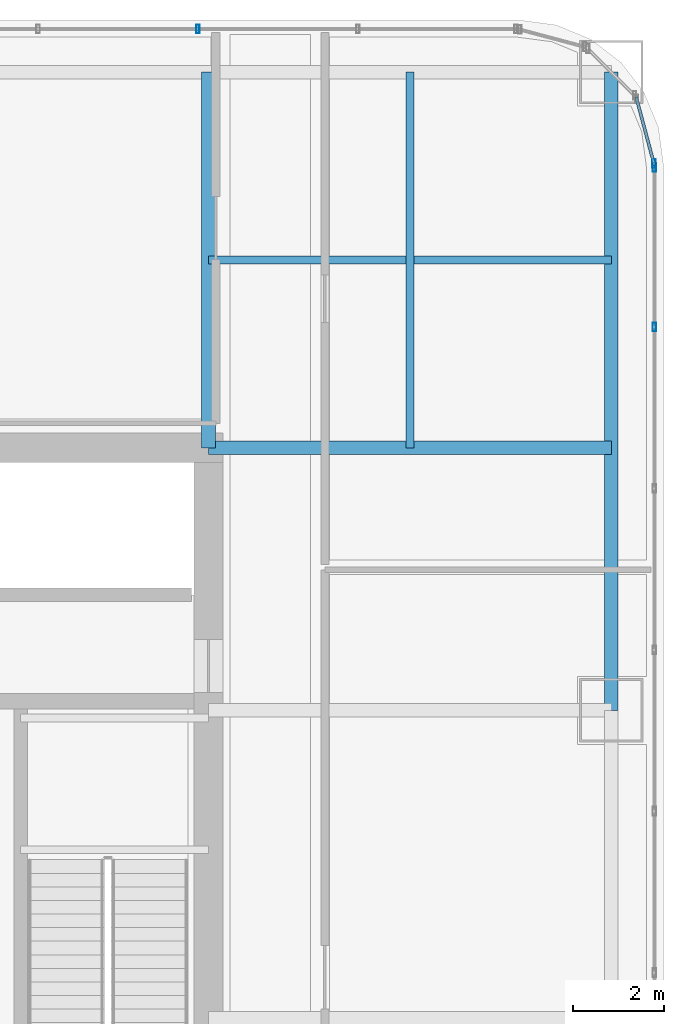
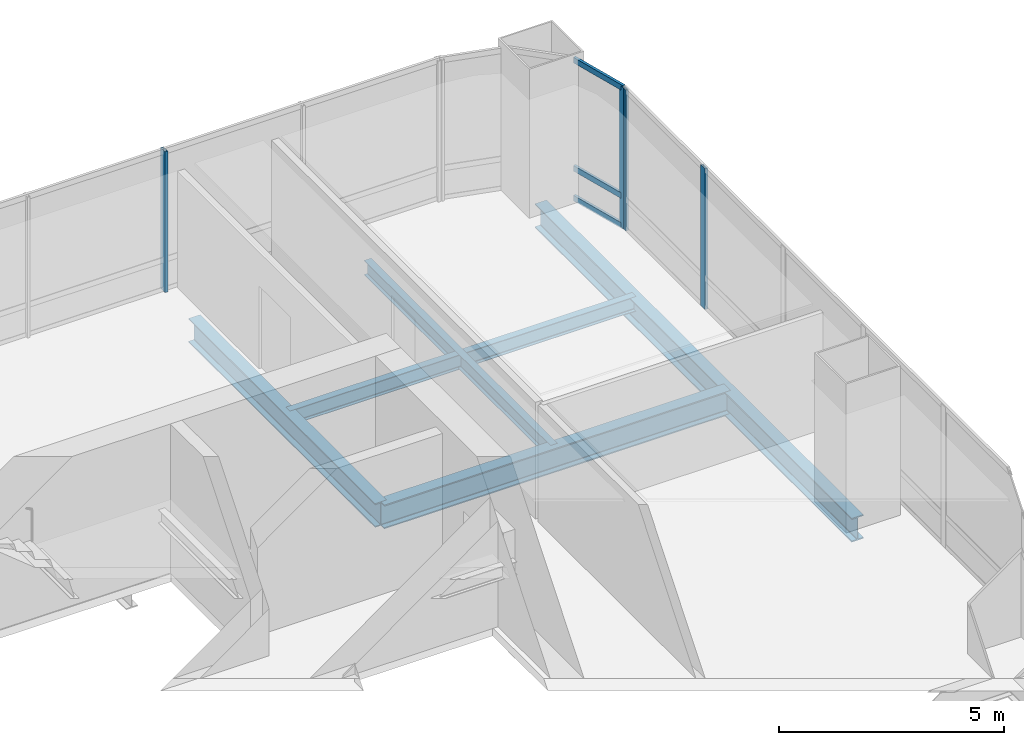
# One storey, part 25 of 36: 7 members, 5 beams, 3 elements without a shape of their own.
"""IFC4 building model written with IfcOpenShell, lengths in metres."""

from ifc_helpers import new_model, si_unit, direction, frame, origin, origin_2d, place, context, subcontext, project, spatial, hollow_rectangle, i_section, extrude, material, material_profile, profile_set, type_object, element, aggregate, save


model = new_model("IFC4")

# Units and contexts
model_context = context("Model", 3, precision=1e-05, world=origin(), true_north=direction((0.0, 1.0)))
body_context = subcontext(model_context, "Body", "Model", "MODEL_VIEW")
ifc_project = project(units=[si_unit("LENGTHUNIT", "METRE"), si_unit("AREAUNIT", "SQUARE_METRE"), si_unit("VOLUMEUNIT", "CUBIC_METRE"), si_unit("PLANEANGLEUNIT", "RADIAN"), si_unit("MASSUNIT", "GRAM", prefix="KILO")], contexts=[model_context])

# Site, building, storey
site_placement = place(None, origin())
site = spatial("IfcSite", under=ifc_project, at=site_placement, CompositionType="ELEMENT")
building_placement = place(site_placement, origin())
building = spatial("IfcBuilding", under=site, at=building_placement, Name="Punatoya Terracotta Tower", CompositionType="ELEMENT")
storey_placement = place(building_placement, frame((0.0, 0.0, 184.35009765625)))
storey = spatial("IfcBuildingStorey", under=building, at=storey_placement, Name="L43", CompositionType="ELEMENT", Elevation=184.35009765625)

# Beams
ifc_material_1 = material(Name="Steel S355", Category="steel")
ifc_material_profile_1 = material_profile(ifc_material_1, i_section(OverallWidth=0.300048828125, OverallDepth=0.64990234375, WebThickness=0.01611328125, FlangeThickness=0.031005859375, FilletRadius=0.01806640625, at=origin_2d()))
ifc_profile_set_1 = profile_set([ifc_material_profile_1], Name="Steel S355")
beam_type_1 = type_object("IfcBeamType", Name="BM-PRI-650", PredefinedType="BEAM", material=ifc_profile_set_1)
beam_1_placement = place(storey_placement, frame((19.10009765625, 3.39990234375, -0.545166015625), z_axis=(0.0, 1.0, 0.0), x_axis=(-1.0, 0.0, 0.0)))
element("IfcBeam", 1, at=beam_1_placement, inside=storey, type_object=beam_type_1, Name="BM-L43-RG-E3", PredefinedType="BEAM", context=body_context, shape_type="SweptSolid", body=[
    extrude(i_section(OverallWidth=0.300048828125, OverallDepth=0.64990234375, WebThickness=0.01611328125, FlangeThickness=0.031005859375, FilletRadius=0.01806640625, at=origin_2d()), origin(), (0.0, 0.0, 1.0), 14.10009765625),
])
beam_2_placement = place(storey_placement, frame((10.199951171875, 9.199951171875, -0.545166015625), z_axis=(1.0, 0.0, 0.0), x_axis=(0.0, 1.0, 0.0)))
element("IfcBeam", 2, at=beam_2_placement, inside=storey, type_object=beam_type_1, Name="BM-L43-PR-EN", PredefinedType="BEAM", context=body_context, shape_type="SweptSolid", body=[
    extrude(i_section(OverallWidth=0.300048828125, OverallDepth=0.64990234375, WebThickness=0.01611328125, FlangeThickness=0.031005859375, FilletRadius=0.01806640625, at=origin_2d()), origin(), (0.0, 0.0, 1.0), 8.900146484375),
])
beam_3_placement = place(storey_placement, frame((10.199951171875, 9.199951171875, -0.545166015625), z_axis=(0.0, 1.0, 0.0), x_axis=(-1.0, 0.0, 0.0)))
element("IfcBeam", 3, at=beam_3_placement, inside=storey, type_object=beam_type_1, Name="BM-L43-PR-N4", PredefinedType="BEAM", context=body_context, shape_type="SweptSolid", body=[
    extrude(i_section(OverallWidth=0.300048828125, OverallDepth=0.64990234375, WebThickness=0.01611328125, FlangeThickness=0.031005859375, FilletRadius=0.01806640625, at=origin_2d()), origin(), (0.0, 0.0, 1.0), 8.300048828125),
])
ifc_material_profile_2 = material_profile(ifc_material_1, i_section(OverallWidth=0.179931640625, OverallDepth=0.39990234375, WebThickness=0.008544921875, FlangeThickness=0.013427734375, FilletRadius=0.01806640625, at=origin_2d()))
ifc_profile_set_2 = profile_set([ifc_material_profile_2], Name="Steel S355")
beam_type_2 = type_object("IfcBeamType", Name="BM-SEC-400", PredefinedType="JOIST", material=ifc_profile_set_2)
beam_4_placement = place(storey_placement, frame((10.199951171875, 13.35009765625, -0.420166015625), z_axis=(1.0, 0.0, 0.0), x_axis=(0.0, 1.0, 0.0)))
element("IfcBeam", 4, at=beam_4_placement, inside=storey, type_object=beam_type_2, Name="BM-L43-SJN-2", PredefinedType="JOIST", context=body_context, shape_type="SweptSolid", body=[
    extrude(i_section(OverallWidth=0.179931640625, OverallDepth=0.39990234375, WebThickness=0.008544921875, FlangeThickness=0.013427734375, FilletRadius=0.01806640625, at=origin_2d()), origin(), (0.0, 0.0, 1.0), 8.900146484375),
])
beam_5_placement = place(storey_placement, frame((14.64990234375, 9.199951171875, -0.420166015625), z_axis=(0.0, 1.0, 0.0), x_axis=(-1.0, 0.0, 0.0)))
element("IfcBeam", 5, at=beam_5_placement, inside=storey, type_object=beam_type_2, Name="BM-L43-SJE-2", PredefinedType="JOIST", context=body_context, shape_type="SweptSolid", body=[
    extrude(i_section(OverallWidth=0.179931640625, OverallDepth=0.39990234375, WebThickness=0.008544921875, FlangeThickness=0.013427734375, FilletRadius=0.01806640625, at=origin_2d()), origin(), (0.0, 0.0, 1.0), 8.300048828125),
])

# Curtain wall, members
ifc_material_2 = material(Name="Aluminium 6063-T6 + Double Low-E Glass", Category="aluminium")
curtain_wall_type = type_object("IfcCurtainWallType", Name="CW-M2", PredefinedType="NOTDEFINED", material=ifc_material_2)
curtain_wall_1_placement = place(storey_placement, origin())
curtain_wall_1 = element("IfcCurtainWall", 6, at=curtain_wall_1_placement, inside=storey, type_object=curtain_wall_type, Name="L43 Curtain Wall CW-L43-E05-1", PredefinedType="NOTDEFINED")
ifc_material_3 = material(Name="Aluminium 6063-T6", Category="aluminium")
ifc_material_profile_3 = material_profile(ifc_material_3, hollow_rectangle(XDim=0.072021484375, YDim=0.195068359375, WallThickness=0.00439453125, at=origin_2d()))
ifc_profile_set_3 = profile_set([ifc_material_profile_3], Name="Aluminium 6063-T6")
member_type_1 = type_object("IfcMemberType", Name="CW-MUL-M2", PredefinedType="MULLION", material=ifc_profile_set_3)
member_1_placement = place(storey_placement, frame((20.050048828125, 11.869384765625, 0.0), z_axis=(0.0, 0.0, 1.0), x_axis=(1.0, 0.0, 0.0)))
member_1 = element("IfcMember", 7, at=member_1_placement, type_object=member_type_1, Name="CW-L43-E05-1 Mullion 09", PredefinedType="MULLION", context=body_context, shape_type="SweptSolid", body=[
    extrude(hollow_rectangle(XDim=0.072021484375, YDim=0.195068359375, WallThickness=0.00439453125, at=origin_2d()), origin(), (0.0, 0.0, 1.0), 3.829833984375),
])
member_2_placement = place(storey_placement, frame((20.050048828125, 15.391845703125, 0.0), z_axis=(0.0, 0.0, 1.0), x_axis=(1.0, 0.0, 0.0)))
member_2 = element("IfcMember", 8, at=member_2_placement, type_object=member_type_1, Name="CW-L43-E05-1 Mullion 10", PredefinedType="MULLION", context=body_context, shape_type="SweptSolid", body=[
    extrude(hollow_rectangle(XDim=0.072021484375, YDim=0.195068359375, WallThickness=0.00439453125, at=origin_2d()), origin(), (0.0, 0.0, 1.0), 3.829833984375),
])
aggregate(curtain_wall_1, [member_1, member_2])

# Curtain wall, member
curtain_wall_2_placement = place(storey_placement, origin())
curtain_wall_2 = element("IfcCurtainWall", 9, at=curtain_wall_2_placement, inside=storey, type_object=curtain_wall_type, Name="L43 Curtain Wall CW-L43-CRN06", PredefinedType="NOTDEFINED")
member_3_placement = place(storey_placement, frame((20.038330078125, 15.48046875, 0.0), z_axis=(0.0, 0.0, 1.0), x_axis=(1.0, 0.0, 0.0)))
member_3 = element("IfcMember", 10, at=member_3_placement, type_object=member_type_1, Name="CW-L43-CRN06 Mullion 00", PredefinedType="MULLION", context=body_context, shape_type="SweptSolid", body=[
    extrude(hollow_rectangle(XDim=0.072021484375, YDim=0.195068359375, WallThickness=0.00439453125, at=origin_2d()), origin(), (0.0, 0.0, 1.0), 3.829833984375),
])

curtain_wall_3_placement = place(storey_placement, origin())
curtain_wall_3 = element("IfcCurtainWall", 11, at=curtain_wall_3_placement, inside=storey, type_object=curtain_wall_type, Name="L43 Curtain Wall CW-L43-N09-1", PredefinedType="NOTDEFINED")
member_4_placement = place(storey_placement, frame((9.968994140625, 18.449951171875, 0.0), z_axis=(0.0, 0.0, 1.0), x_axis=(1.0, 0.0, 0.0)))
member_4 = element("IfcMember", 12, at=member_4_placement, type_object=member_type_1, Name="CW-L43-N09-1 Mullion 02", PredefinedType="MULLION", context=body_context, shape_type="SweptSolid", body=[
    extrude(hollow_rectangle(XDim=0.072021484375, YDim=0.195068359375, WallThickness=0.00439453125, at=origin_2d()), origin(), (0.0, 0.0, 1.0), 3.829833984375),
])
aggregate(curtain_wall_3, [member_4])

# Member
ifc_material_profile_4 = material_profile(ifc_material_3, hollow_rectangle(XDim=0.068115234375, YDim=0.14990234375, WallThickness=0.00390625, at=origin_2d()))
ifc_profile_set_4 = profile_set([ifc_material_profile_4], Name="Aluminium 6063-T6")
member_type_2 = type_object("IfcMemberType", Name="CW-TRN-TYP", PredefinedType="USERDEFINED", material=ifc_profile_set_4)
member_5_placement = place(storey_placement, frame((20.050048828125, 15.43701171875, 0.039794921875), z_axis=(-0.257847112249, 0.966185730957, 0.0), x_axis=(-0.966185730957, -0.257847112249, 0.0)))
member_5 = element("IfcMember", 13, at=member_5_placement, type_object=member_type_2, Name="CW-L43-CRN06 Transom 1", ObjectType="TRANSOM", PredefinedType="USERDEFINED", context=body_context, shape_type="SweptSolid", body=[
    extrude(hollow_rectangle(XDim=0.068115234375, YDim=0.14990234375, WallThickness=0.00390625, at=origin_2d()), origin(), (0.0, 0.0, 1.0), 1.565185546875),
])

member_6_placement = place(storey_placement, frame((20.050048828125, 15.43701171875, 0.849853515625), z_axis=(-0.257847112249, 0.966185730957, 0.0), x_axis=(-0.966185730957, -0.257847112249, 0.0)))
member_6 = element("IfcMember", 14, at=member_6_placement, type_object=member_type_2, Name="CW-L43-CRN06 Transom 2", ObjectType="TRANSOM", PredefinedType="USERDEFINED", context=body_context, shape_type="SweptSolid", body=[
    extrude(hollow_rectangle(XDim=0.068115234375, YDim=0.14990234375, WallThickness=0.00390625, at=origin_2d()), origin(), (0.0, 0.0, 1.0), 1.565185546875),
])

member_7_placement = place(storey_placement, frame((20.050048828125, 15.43701171875, 3.789794921875), z_axis=(-0.257847112249, 0.966185730957, 0.0), x_axis=(-0.966185730957, -0.257847112249, 0.0)))
member_7 = element("IfcMember", 15, at=member_7_placement, type_object=member_type_2, Name="CW-L43-CRN06 Transom 3", ObjectType="TRANSOM", PredefinedType="USERDEFINED", context=body_context, shape_type="SweptSolid", body=[
    extrude(hollow_rectangle(XDim=0.068115234375, YDim=0.14990234375, WallThickness=0.00390625, at=origin_2d()), origin(), (0.0, 0.0, 1.0), 1.565185546875),
])

aggregate(curtain_wall_2, [member_3, member_5, member_6, member_7])

save(model, "model.ifc")
